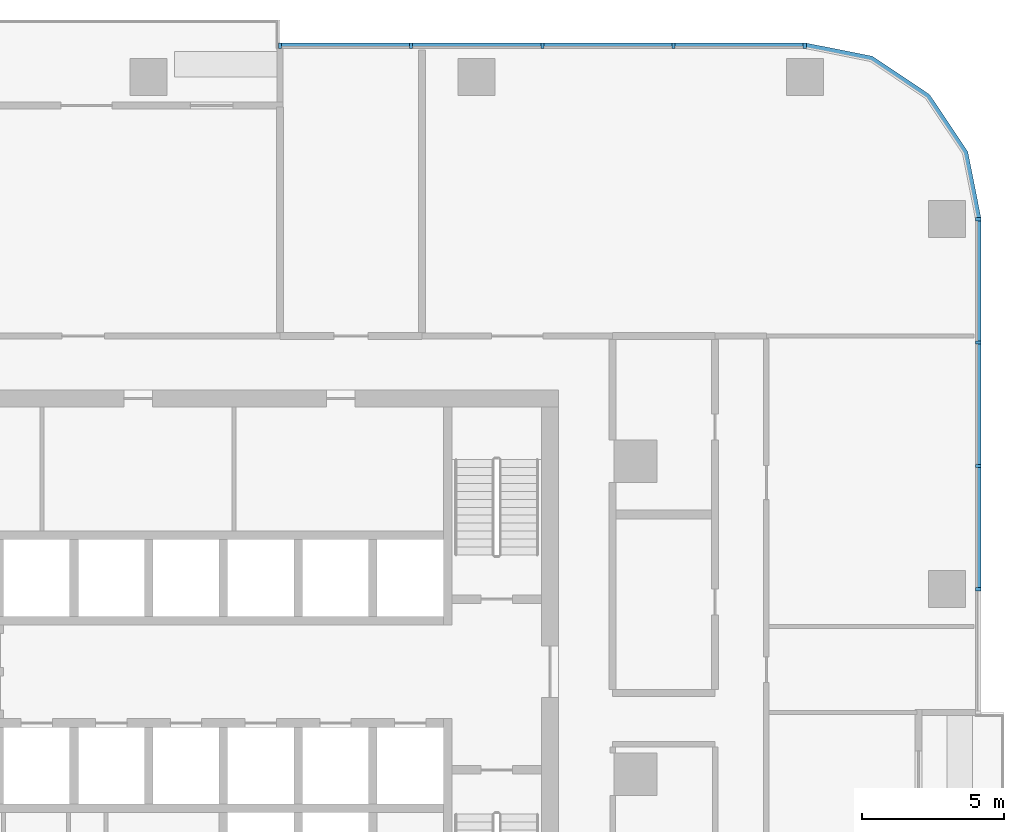
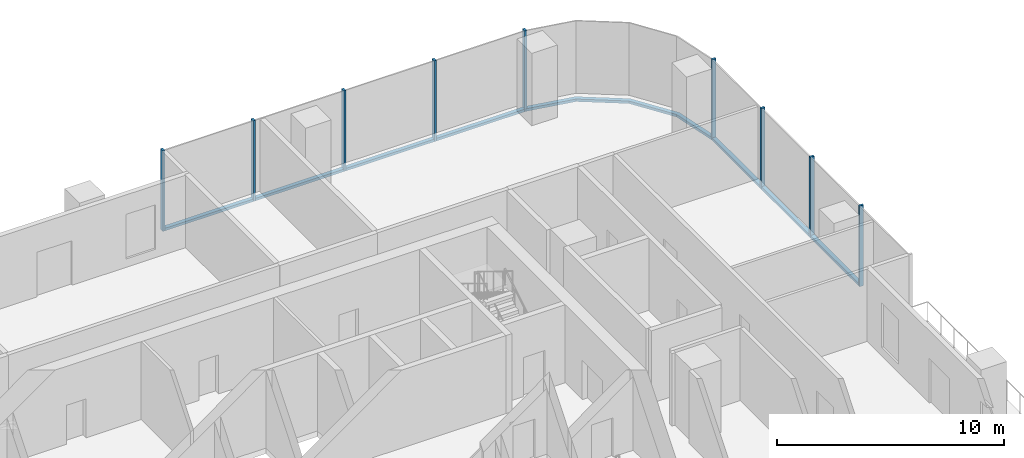
# One storey, part 5 of 14: 17 members, 3 elements without a shape of their own.
"""IFC4 building model written with IfcOpenShell, lengths in metres."""

from ifc_helpers import new_model, si_unit, direction, frame, origin, origin_2d, place, context, subcontext, project, spatial, polyline, rectangle, outline, extrude, material, material_profile, profile_set, type_object, element, aggregate, save


model = new_model("IFC4")

# Units and contexts
model_context = context("Model", 3, precision=1e-05, world=origin(), true_north=direction((0.0, 1.0)))
body_context = subcontext(model_context, "Body", "Model", "MODEL_VIEW")
ifc_project = project(units=[si_unit("LENGTHUNIT", "METRE"), si_unit("AREAUNIT", "SQUARE_METRE"), si_unit("VOLUMEUNIT", "CUBIC_METRE"), si_unit("PLANEANGLEUNIT", "RADIAN"), si_unit("MASSUNIT", "GRAM", prefix="KILO")], contexts=[model_context])

# Site, building, storey
site_placement = place(None, origin())
site = spatial("IfcSite", under=ifc_project, at=site_placement, CompositionType="ELEMENT")
building_placement = place(site_placement, origin())
building = spatial("IfcBuilding", under=site, at=building_placement, Name="Mopane Tessera Tower", CompositionType="ELEMENT")
storey_placement = place(building_placement, frame((0.0, 0.0, 144.10009765625)))
storey = spatial("IfcBuildingStorey", under=building, at=storey_placement, Name="L29", CompositionType="ELEMENT", Elevation=144.10009765625)

# Curtain wall, members
ifc_material_1 = material(Name="Aluminium frame", Category="aluminium")
curtain_wall_type = type_object("IfcCurtainWallType", Name="Lower tower unitised wall", PredefinedType="NOTDEFINED", material=ifc_material_1)
curtain_wall_1_placement = place(storey_placement, origin())
curtain_wall_1 = element("IfcCurtainWall", 1, at=curtain_wall_1_placement, inside=storey, type_object=curtain_wall_type, Name="e:cw:L29:E:5", PredefinedType="NOTDEFINED")
ifc_material_2 = material(Name="Aluminium frame", Category="aluminium")
ifc_material_profile_1 = material_profile(ifc_material_2, rectangle(XDim=0.110107421875, YDim=0.199951171875, at=origin_2d()))
ifc_profile_set_1 = profile_set([ifc_material_profile_1], Name="Aluminium frame")
member_type_1 = type_object("IfcMemberType", Name="Aluminium mullion 110 x 200", PredefinedType="MULLION", material=ifc_profile_set_1)
member_1_placement = place(storey_placement, frame((29.14990234375, 6.5, -0.4501953125), z_axis=(0.0, 0.0, 1.0), x_axis=(0.0, 1.0, 0.0)))
member_1 = element("IfcMember", 2, at=member_1_placement, type_object=member_type_1, Name="e:cw:L29:E:5:mu6", PredefinedType="MULLION", context=body_context, shape_type="SweptSolid", body=[
    extrude(rectangle(XDim=0.110107421875, YDim=0.199951171875, at=origin_2d()), origin(), (0.0, 0.0, 1.0), 4.35009765625),
])
member_2_placement = place(storey_placement, frame((29.14990234375, 10.833251953125, -0.4501953125), z_axis=(0.0, 0.0, 1.0), x_axis=(0.0, 1.0, 0.0)))
member_2 = element("IfcMember", 3, at=member_2_placement, type_object=member_type_1, Name="e:cw:L29:E:5:mu7", PredefinedType="MULLION", context=body_context, shape_type="SweptSolid", body=[
    extrude(rectangle(XDim=0.110107421875, YDim=0.199951171875, at=origin_2d()), origin(), (0.0, 0.0, 1.0), 4.35009765625),
])
member_3_placement = place(storey_placement, frame((29.14990234375, 15.166748046875, -0.4501953125), z_axis=(0.0, 0.0, 1.0), x_axis=(0.0, 1.0, 0.0)))
member_3 = element("IfcMember", 4, at=member_3_placement, type_object=member_type_1, Name="e:cw:L29:E:5:mu8", PredefinedType="MULLION", context=body_context, shape_type="SweptSolid", body=[
    extrude(rectangle(XDim=0.110107421875, YDim=0.199951171875, at=origin_2d()), origin(), (0.0, 0.0, 1.0), 4.35009765625),
])
member_4_placement = place(storey_placement, frame((29.14990234375, 19.5, -0.4501953125), z_axis=(0.0, 0.0, 1.0), x_axis=(0.0, 1.0, 0.0)))
member_4 = element("IfcMember", 5, at=member_4_placement, type_object=member_type_1, Name="e:cw:L29:E:5:mu9", PredefinedType="MULLION", context=body_context, shape_type="SweptSolid", body=[
    extrude(rectangle(XDim=0.110107421875, YDim=0.199951171875, at=origin_2d()), origin(), (0.0, 0.0, 1.0), 4.35009765625),
])

curtain_wall_2_placement = place(storey_placement, origin())
curtain_wall_2 = element("IfcCurtainWall", 6, at=curtain_wall_2_placement, inside=storey, type_object=curtain_wall_type, Name="e:cw:L29:N:0", PredefinedType="NOTDEFINED")
member_5_placement = place(storey_placement, frame((23.050048828125, 25.60009765625, -0.4501953125), z_axis=(0.0, 0.0, 1.0), x_axis=(-1.0, 0.0, 0.0)))
member_5 = element("IfcMember", 7, at=member_5_placement, type_object=member_type_1, Name="e:cw:L29:N:0:mu0", PredefinedType="MULLION", context=body_context, shape_type="SweptSolid", body=[
    extrude(rectangle(XDim=0.110107421875, YDim=0.199951171875, at=origin_2d()), origin(), (0.0, 0.0, 1.0), 4.35009765625),
])
member_6_placement = place(storey_placement, frame((18.43994140625, 25.60009765625, -0.4501953125), z_axis=(0.0, 0.0, 1.0), x_axis=(-1.0, 0.0, 0.0)))
member_6 = element("IfcMember", 8, at=member_6_placement, type_object=member_type_1, Name="e:cw:L29:N:0:mu1", PredefinedType="MULLION", context=body_context, shape_type="SweptSolid", body=[
    extrude(rectangle(XDim=0.110107421875, YDim=0.199951171875, at=origin_2d()), origin(), (0.0, 0.0, 1.0), 4.35009765625),
])
member_7_placement = place(storey_placement, frame((13.830078125, 25.60009765625, -0.4501953125), z_axis=(0.0, 0.0, 1.0), x_axis=(-1.0, 0.0, 0.0)))
member_7 = element("IfcMember", 9, at=member_7_placement, type_object=member_type_1, Name="e:cw:L29:N:0:mu2", PredefinedType="MULLION", context=body_context, shape_type="SweptSolid", body=[
    extrude(rectangle(XDim=0.110107421875, YDim=0.199951171875, at=origin_2d()), origin(), (0.0, 0.0, 1.0), 4.35009765625),
])
member_8_placement = place(storey_placement, frame((9.219970703125, 25.60009765625, -0.4501953125), z_axis=(0.0, 0.0, 1.0), x_axis=(-1.0, 0.0, 0.0)))
member_8 = element("IfcMember", 10, at=member_8_placement, type_object=member_type_1, Name="e:cw:L29:N:0:mu3", PredefinedType="MULLION", context=body_context, shape_type="SweptSolid", body=[
    extrude(rectangle(XDim=0.110107421875, YDim=0.199951171875, at=origin_2d()), origin(), (0.0, 0.0, 1.0), 4.35009765625),
])
member_9_placement = place(storey_placement, frame((4.610107421875, 25.60009765625, -0.4501953125), z_axis=(0.0, 0.0, 1.0), x_axis=(-1.0, 0.0, 0.0)))
member_9 = element("IfcMember", 11, at=member_9_placement, type_object=member_type_1, Name="e:cw:L29:N:0:mu4", PredefinedType="MULLION", context=body_context, shape_type="SweptSolid", body=[
    extrude(rectangle(XDim=0.110107421875, YDim=0.199951171875, at=origin_2d()), origin(), (0.0, 0.0, 1.0), 4.35009765625),
])

# Member
ifc_material_3 = material(Name="Aluminium frame", Category="aluminium")
ifc_material_profile_2 = material_profile(ifc_material_3, rectangle(XDim=0.199951171875, YDim=0.139892578125, at=origin_2d()))
ifc_profile_set_2 = profile_set([ifc_material_profile_2], Name="Aluminium frame")
member_type_2 = type_object("IfcMemberType", Name="Aluminium transom 200 x 140", PredefinedType="USERDEFINED", material=ifc_profile_set_2)
member_10_placement = place(storey_placement, frame((29.14990234375, 6.554931640625, -0.380126953125), z_axis=(0.0, 1.0, 0.0), x_axis=(-1.0, 0.0, 0.0)))
member_10 = element("IfcMember", 12, at=member_10_placement, type_object=member_type_2, Name="e:cw:L29:E:5:tr6", ObjectType="TRANSOM", PredefinedType="USERDEFINED", context=body_context, shape_type="SweptSolid", body=[
    extrude(rectangle(XDim=0.199951171875, YDim=0.139892578125, at=origin_2d()), origin(), (0.0, 0.0, 1.0), 4.223388671875),
])

member_11_placement = place(storey_placement, frame((29.14990234375, 10.888427734375, -0.380126953125), z_axis=(0.0, 1.0, 0.0), x_axis=(-1.0, 0.0, 0.0)))
member_11 = element("IfcMember", 13, at=member_11_placement, type_object=member_type_2, Name="e:cw:L29:E:5:tr7", ObjectType="TRANSOM", PredefinedType="USERDEFINED", context=body_context, shape_type="SweptSolid", body=[
    extrude(rectangle(XDim=0.199951171875, YDim=0.139892578125, at=origin_2d()), origin(), (0.0, 0.0, 1.0), 4.22314453125),
])

member_12_placement = place(storey_placement, frame((29.14990234375, 15.2216796875, -0.380126953125), z_axis=(0.0, 1.0, 0.0), x_axis=(-1.0, 0.0, 0.0)))
member_12 = element("IfcMember", 14, at=member_12_placement, type_object=member_type_2, Name="e:cw:L29:E:5:tr8", ObjectType="TRANSOM", PredefinedType="USERDEFINED", context=body_context, shape_type="SweptSolid", body=[
    extrude(rectangle(XDim=0.199951171875, YDim=0.139892578125, at=origin_2d()), origin(), (0.0, 0.0, 1.0), 4.223388671875),
])

aggregate(curtain_wall_1, [member_1, member_2, member_3, member_4, member_10, member_11, member_12])

# Curtain wall, member
curtain_wall_3_placement = place(storey_placement, origin())
curtain_wall_3 = element("IfcCurtainWall", 15, at=curtain_wall_3_placement, inside=storey, type_object=curtain_wall_type, Name="e:cw:L29:CE", PredefinedType="NOTDEFINED")
member_13_placement = place(storey_placement, frame((0.0, 0.0, -0.4501953125)))
member_13 = element("IfcMember", 16, at=member_13_placement, type_object=member_type_2, Name="e:cw:L29:CE:tr", ObjectType="TRANSOM", PredefinedType="USERDEFINED", context=body_context, shape_type="SweptSolid", body=[
    extrude(outline(polyline([(29.050048828125, 19.5), (28.59326171875, 21.796142578125), (27.292724609375, 23.74267578125), (25.34619140625, 25.043212890625), (23.050048828125, 25.5), (23.050048828125, 25.699951171875), (25.422607421875, 25.22802734375), (27.43408203125, 23.884033203125), (28.778076171875, 21.87255859375), (29.25, 19.5), (29.050048828125, 19.5)])), origin(), (0.0, 0.0, 1.0), 0.14013671875),
])
aggregate(curtain_wall_3, [member_13])

# Member
member_14_placement = place(storey_placement, frame((22.9951171875, 25.60009765625, -0.380126953125), z_axis=(-1.0, 0.0, 0.0), x_axis=(0.0, -1.0, 0.0)))
member_14 = element("IfcMember", 17, at=member_14_placement, type_object=member_type_2, Name="e:cw:L29:N:0:tr0", ObjectType="TRANSOM", PredefinedType="USERDEFINED", context=body_context, shape_type="SweptSolid", body=[
    extrude(rectangle(XDim=0.199951171875, YDim=0.139892578125, at=origin_2d()), origin(), (0.0, 0.0, 1.0), 4.5),
])

member_15_placement = place(storey_placement, frame((18.385009765625, 25.60009765625, -0.380126953125), z_axis=(-1.0, 0.0, 0.0), x_axis=(0.0, -1.0, 0.0)))
member_15 = element("IfcMember", 18, at=member_15_placement, type_object=member_type_2, Name="e:cw:L29:N:0:tr1", ObjectType="TRANSOM", PredefinedType="USERDEFINED", context=body_context, shape_type="SweptSolid", body=[
    extrude(rectangle(XDim=0.199951171875, YDim=0.139892578125, at=origin_2d()), origin(), (0.0, 0.0, 1.0), 4.5),
])

member_16_placement = place(storey_placement, frame((13.77490234375, 25.60009765625, -0.380126953125), z_axis=(-1.0, 0.0, 0.0), x_axis=(0.0, -1.0, 0.0)))
member_16 = element("IfcMember", 19, at=member_16_placement, type_object=member_type_2, Name="e:cw:L29:N:0:tr2", ObjectType="TRANSOM", PredefinedType="USERDEFINED", context=body_context, shape_type="SweptSolid", body=[
    extrude(rectangle(XDim=0.199951171875, YDim=0.139892578125, at=origin_2d()), origin(), (0.0, 0.0, 1.0), 4.5),
])

member_17_placement = place(storey_placement, frame((9.1650390625, 25.60009765625, -0.380126953125), z_axis=(-1.0, 0.0, 0.0), x_axis=(0.0, -1.0, 0.0)))
member_17 = element("IfcMember", 20, at=member_17_placement, type_object=member_type_2, Name="e:cw:L29:N:0:tr3", ObjectType="TRANSOM", PredefinedType="USERDEFINED", context=body_context, shape_type="SweptSolid", body=[
    extrude(rectangle(XDim=0.199951171875, YDim=0.139892578125, at=origin_2d()), origin(), (0.0, 0.0, 1.0), 4.5),
])

aggregate(curtain_wall_2, [member_5, member_6, member_7, member_8, member_9, member_14, member_15, member_16, member_17])

save(model, "model.ifc")
